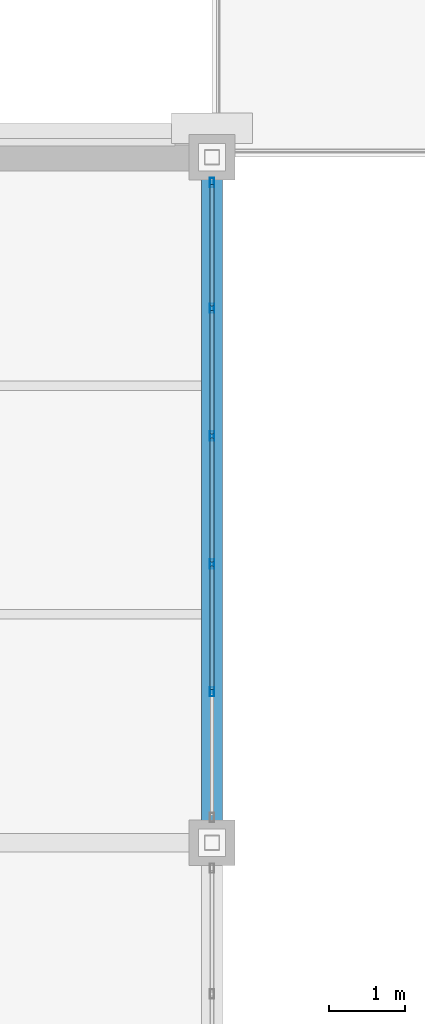
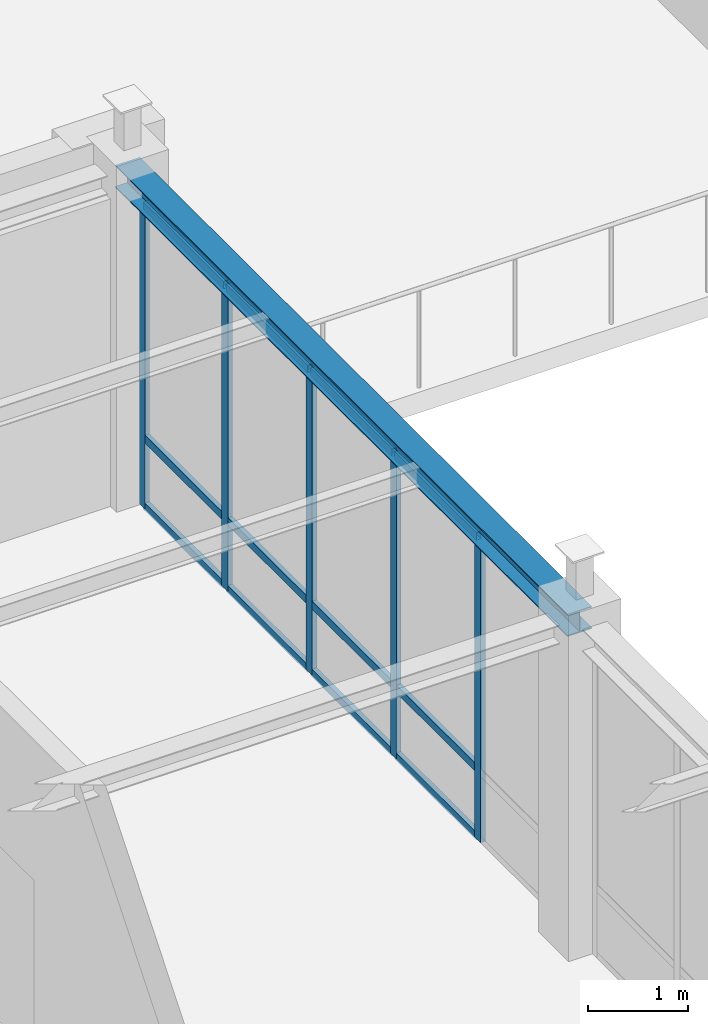
# One storey, part 58 of 97: 17 members, 1 beam, 1 element without a shape of its own.
"""IFC4 building model written with IfcOpenShell, lengths in metres."""

from ifc_helpers import new_model, si_unit, direction, frame, origin, origin_2d, place, context, subcontext, project, spatial, hollow_rectangle, i_section, extrude, material, material_profile, profile_set, type_object, element, aggregate, save


model = new_model("IFC4")

# Units and contexts
model_context = context("Model", 3, precision=1e-05, world=origin(), true_north=direction((0.0, 1.0)))
body_context = subcontext(model_context, "Body", "Model", "MODEL_VIEW")
ifc_project = project(units=[si_unit("LENGTHUNIT", "METRE"), si_unit("AREAUNIT", "SQUARE_METRE"), si_unit("VOLUMEUNIT", "CUBIC_METRE"), si_unit("PLANEANGLEUNIT", "RADIAN"), si_unit("MASSUNIT", "GRAM", prefix="KILO")], contexts=[model_context])

# Site, building, storey
site_placement = place(None, origin())
site = spatial("IfcSite", under=ifc_project, at=site_placement, CompositionType="ELEMENT")
building_placement = place(site_placement, origin())
building = spatial("IfcBuilding", under=site, at=building_placement, Name="Lykobir Media Centre", CompositionType="ELEMENT")
storey_placement = place(building_placement, frame((0.0, 0.0, 23.39990234375)))
storey = spatial("IfcBuildingStorey", under=building, at=storey_placement, Name="L05", CompositionType="ELEMENT", Elevation=23.39990234375)

# Beam
ifc_material_1 = material(Name="Steel S355", Category="steel")
ifc_material_profile_1 = material_profile(ifc_material_1, i_section(OverallWidth=0.280029296875, OverallDepth=0.27001953125, WebThickness=0.008056640625, FlangeThickness=0.012939453125, at=origin_2d()), Name="HEA 280")
ifc_profile_set_1 = profile_set([ifc_material_profile_1], Name="Steel S355")
beam_type = type_object("IfcBeamType", Name="BM-HEA280", PredefinedType="BEAM", material=ifc_profile_set_1)
beam_placement = place(storey_placement, frame((99.0, 63.0, 3.84521484375), z_axis=(0.0, 1.0, 0.0), x_axis=(-1.0, 0.0, 0.0)))
element("IfcBeam", 1, at=beam_placement, inside=storey, type_object=beam_type, Name="Beam BM-L05-0990-0630-0990-0720-2724", PredefinedType="BEAM", context=body_context, shape_type="SweptSolid", body=[
    extrude(i_section(OverallWidth=0.280029296875, OverallDepth=0.27001953125, WebThickness=0.008056640625, FlangeThickness=0.012939453125, at=origin_2d()), origin(), (0.0, 0.0, 1.0), 9.0),
])

# Curtain wall, members
ifc_material_2 = material(Name="Anodized Aluminium AW-6060", Category="aluminium")
curtain_wall_type = type_object("IfcCurtainWallType", Name="CW-COURT-B", PredefinedType="NOTDEFINED", material=ifc_material_2)
curtain_wall_placement = place(storey_placement, origin())
curtain_wall = element("IfcCurtainWall", 2, at=curtain_wall_placement, inside=storey, type_object=curtain_wall_type, Name="Curtain wall CW2-L05-0186", PredefinedType="NOTDEFINED")
ifc_material_profile_2 = material_profile(ifc_material_2, hollow_rectangle(XDim=0.054931640625, YDim=0.1201171875, WallThickness=0.003173828125, at=origin_2d()), Name="ALU MULLION 55x120")
ifc_profile_set_2 = profile_set([ifc_material_profile_2], Name="Anodized Aluminium AW-6060")
member_type_1 = type_object("IfcMemberType", Name="CWM-120", PredefinedType="MULLION", material=ifc_profile_set_2)
member_1_placement = place(storey_placement, frame((99.0, 71.66748046875, 0.0), z_axis=(0.0, 0.0, 1.0), x_axis=(1.0, 0.0, 0.0)))
member_1 = element("IfcMember", 3, at=member_1_placement, type_object=member_type_1, Name="CW2-L05-0186 mullion 1", PredefinedType="MULLION", context=body_context, shape_type="SweptSolid", body=[
    extrude(hollow_rectangle(XDim=0.054931640625, YDim=0.1201171875, WallThickness=0.003173828125, at=origin_2d()), origin(), (0.0, 0.0, 1.0), 3.695068359375),
])
member_2_placement = place(storey_placement, frame((99.0, 70.01708984375, 0.0), z_axis=(0.0, 0.0, 1.0), x_axis=(1.0, 0.0, 0.0)))
member_2 = element("IfcMember", 4, at=member_2_placement, type_object=member_type_1, Name="CW2-L05-0186 mullion 2", PredefinedType="MULLION", context=body_context, shape_type="SweptSolid", body=[
    extrude(hollow_rectangle(XDim=0.054931640625, YDim=0.1201171875, WallThickness=0.003173828125, at=origin_2d()), origin(), (0.0, 0.0, 1.0), 3.695068359375),
])
member_3_placement = place(storey_placement, frame((99.0, 68.339111328125, 0.0), z_axis=(0.0, 0.0, 1.0), x_axis=(1.0, 0.0, 0.0)))
member_3 = element("IfcMember", 5, at=member_3_placement, type_object=member_type_1, Name="CW2-L05-0186 mullion 3", PredefinedType="MULLION", context=body_context, shape_type="SweptSolid", body=[
    extrude(hollow_rectangle(XDim=0.054931640625, YDim=0.1201171875, WallThickness=0.003173828125, at=origin_2d()), origin(), (0.0, 0.0, 1.0), 3.695068359375),
])
member_4_placement = place(storey_placement, frame((99.0, 66.660888671875, 0.0), z_axis=(0.0, 0.0, 1.0), x_axis=(1.0, 0.0, 0.0)))
member_4 = element("IfcMember", 6, at=member_4_placement, type_object=member_type_1, Name="CW2-L05-0186 mullion 4", PredefinedType="MULLION", context=body_context, shape_type="SweptSolid", body=[
    extrude(hollow_rectangle(XDim=0.054931640625, YDim=0.1201171875, WallThickness=0.003173828125, at=origin_2d()), origin(), (0.0, 0.0, 1.0), 3.695068359375),
])
member_5_placement = place(storey_placement, frame((99.0, 64.98291015625, 0.0), z_axis=(0.0, 0.0, 1.0), x_axis=(1.0, 0.0, 0.0)))
member_5 = element("IfcMember", 7, at=member_5_placement, type_object=member_type_1, Name="CW2-L05-0186 mullion 5", PredefinedType="MULLION", context=body_context, shape_type="SweptSolid", body=[
    extrude(hollow_rectangle(XDim=0.054931640625, YDim=0.1201171875, WallThickness=0.003173828125, at=origin_2d()), origin(), (0.0, 0.0, 1.0), 3.695068359375),
])
ifc_material_profile_3 = material_profile(ifc_material_2, hollow_rectangle(XDim=0.054931640625, YDim=0.094970703125, WallThickness=0.0029296875, at=origin_2d()), Name="ALU TRANSOM 55x95")
ifc_profile_set_3 = profile_set([ifc_material_profile_3], Name="Anodized Aluminium AW-6060")
member_type_2 = type_object("IfcMemberType", Name="CWT-095", PredefinedType="USERDEFINED", material=ifc_profile_set_3)
member_6_placement = place(storey_placement, frame((99.0, 71.639892578125, 0.027587890625), z_axis=(0.0, -1.0, 0.0), x_axis=(1.0, 0.0, 0.0)))
member_6 = element("IfcMember", 8, at=member_6_placement, type_object=member_type_2, Name="CW2-L05-0186 transom 1.1", ObjectType="TRANSOM", PredefinedType="USERDEFINED", context=body_context, shape_type="SweptSolid", body=[
    extrude(hollow_rectangle(XDim=0.054931640625, YDim=0.094970703125, WallThickness=0.0029296875, at=origin_2d()), origin(), (0.0, 0.0, 1.0), 1.595458984375),
])
member_7_placement = place(storey_placement, frame((99.0, 71.639892578125, 0.85009765625), z_axis=(0.0, -1.0, 0.0), x_axis=(1.0, 0.0, 0.0)))
member_7 = element("IfcMember", 9, at=member_7_placement, type_object=member_type_2, Name="CW2-L05-0186 transom 1.2", ObjectType="TRANSOM", PredefinedType="USERDEFINED", context=body_context, shape_type="SweptSolid", body=[
    extrude(hollow_rectangle(XDim=0.054931640625, YDim=0.094970703125, WallThickness=0.0029296875, at=origin_2d()), origin(), (0.0, 0.0, 1.0), 1.595458984375),
])
member_8_placement = place(storey_placement, frame((99.0, 71.639892578125, 3.66748046875), z_axis=(0.0, -1.0, 0.0), x_axis=(1.0, 0.0, 0.0)))
member_8 = element("IfcMember", 10, at=member_8_placement, type_object=member_type_2, Name="CW2-L05-0186 transom 1.3", ObjectType="TRANSOM", PredefinedType="USERDEFINED", context=body_context, shape_type="SweptSolid", body=[
    extrude(hollow_rectangle(XDim=0.054931640625, YDim=0.094970703125, WallThickness=0.0029296875, at=origin_2d()), origin(), (0.0, 0.0, 1.0), 1.595458984375),
])
member_9_placement = place(storey_placement, frame((99.0, 69.989501953125, 0.027587890625), z_axis=(0.0, -1.0, 0.0), x_axis=(1.0, 0.0, 0.0)))
member_9 = element("IfcMember", 11, at=member_9_placement, type_object=member_type_2, Name="CW2-L05-0186 transom 2.1", ObjectType="TRANSOM", PredefinedType="USERDEFINED", context=body_context, shape_type="SweptSolid", body=[
    extrude(hollow_rectangle(XDim=0.054931640625, YDim=0.094970703125, WallThickness=0.0029296875, at=origin_2d()), origin(), (0.0, 0.0, 1.0), 1.623046875),
])
member_10_placement = place(storey_placement, frame((99.0, 69.989501953125, 0.85009765625), z_axis=(0.0, -1.0, 0.0), x_axis=(1.0, 0.0, 0.0)))
member_10 = element("IfcMember", 12, at=member_10_placement, type_object=member_type_2, Name="CW2-L05-0186 transom 2.2", ObjectType="TRANSOM", PredefinedType="USERDEFINED", context=body_context, shape_type="SweptSolid", body=[
    extrude(hollow_rectangle(XDim=0.054931640625, YDim=0.094970703125, WallThickness=0.0029296875, at=origin_2d()), origin(), (0.0, 0.0, 1.0), 1.623046875),
])
member_11_placement = place(storey_placement, frame((99.0, 69.989501953125, 3.66748046875), z_axis=(0.0, -1.0, 0.0), x_axis=(1.0, 0.0, 0.0)))
member_11 = element("IfcMember", 13, at=member_11_placement, type_object=member_type_2, Name="CW2-L05-0186 transom 2.3", ObjectType="TRANSOM", PredefinedType="USERDEFINED", context=body_context, shape_type="SweptSolid", body=[
    extrude(hollow_rectangle(XDim=0.054931640625, YDim=0.094970703125, WallThickness=0.0029296875, at=origin_2d()), origin(), (0.0, 0.0, 1.0), 1.623046875),
])
member_12_placement = place(storey_placement, frame((99.0, 68.3115234375, 0.027587890625), z_axis=(0.0, -1.0, 0.0), x_axis=(1.0, 0.0, 0.0)))
member_12 = element("IfcMember", 14, at=member_12_placement, type_object=member_type_2, Name="CW2-L05-0186 transom 3.1", ObjectType="TRANSOM", PredefinedType="USERDEFINED", context=body_context, shape_type="SweptSolid", body=[
    extrude(hollow_rectangle(XDim=0.054931640625, YDim=0.094970703125, WallThickness=0.0029296875, at=origin_2d()), origin(), (0.0, 0.0, 1.0), 1.623046875),
])
member_13_placement = place(storey_placement, frame((99.0, 68.3115234375, 0.85009765625), z_axis=(0.0, -1.0, 0.0), x_axis=(1.0, 0.0, 0.0)))
member_13 = element("IfcMember", 15, at=member_13_placement, type_object=member_type_2, Name="CW2-L05-0186 transom 3.2", ObjectType="TRANSOM", PredefinedType="USERDEFINED", context=body_context, shape_type="SweptSolid", body=[
    extrude(hollow_rectangle(XDim=0.054931640625, YDim=0.094970703125, WallThickness=0.0029296875, at=origin_2d()), origin(), (0.0, 0.0, 1.0), 1.623046875),
])
member_14_placement = place(storey_placement, frame((99.0, 68.3115234375, 3.66748046875), z_axis=(0.0, -1.0, 0.0), x_axis=(1.0, 0.0, 0.0)))
member_14 = element("IfcMember", 16, at=member_14_placement, type_object=member_type_2, Name="CW2-L05-0186 transom 3.3", ObjectType="TRANSOM", PredefinedType="USERDEFINED", context=body_context, shape_type="SweptSolid", body=[
    extrude(hollow_rectangle(XDim=0.054931640625, YDim=0.094970703125, WallThickness=0.0029296875, at=origin_2d()), origin(), (0.0, 0.0, 1.0), 1.623046875),
])
member_15_placement = place(storey_placement, frame((99.0, 66.633544921875, 0.027587890625), z_axis=(0.0, -1.0, 0.0), x_axis=(1.0, 0.0, 0.0)))
member_15 = element("IfcMember", 17, at=member_15_placement, type_object=member_type_2, Name="CW2-L05-0186 transom 4.1", ObjectType="TRANSOM", PredefinedType="USERDEFINED", context=body_context, shape_type="SweptSolid", body=[
    extrude(hollow_rectangle(XDim=0.054931640625, YDim=0.094970703125, WallThickness=0.0029296875, at=origin_2d()), origin(), (0.0, 0.0, 1.0), 1.623046875),
])
member_16_placement = place(storey_placement, frame((99.0, 66.633544921875, 0.85009765625), z_axis=(0.0, -1.0, 0.0), x_axis=(1.0, 0.0, 0.0)))
member_16 = element("IfcMember", 18, at=member_16_placement, type_object=member_type_2, Name="CW2-L05-0186 transom 4.2", ObjectType="TRANSOM", PredefinedType="USERDEFINED", context=body_context, shape_type="SweptSolid", body=[
    extrude(hollow_rectangle(XDim=0.054931640625, YDim=0.094970703125, WallThickness=0.0029296875, at=origin_2d()), origin(), (0.0, 0.0, 1.0), 1.623046875),
])
member_17_placement = place(storey_placement, frame((99.0, 66.633544921875, 3.66748046875), z_axis=(0.0, -1.0, 0.0), x_axis=(1.0, 0.0, 0.0)))
member_17 = element("IfcMember", 19, at=member_17_placement, type_object=member_type_2, Name="CW2-L05-0186 transom 4.3", ObjectType="TRANSOM", PredefinedType="USERDEFINED", context=body_context, shape_type="SweptSolid", body=[
    extrude(hollow_rectangle(XDim=0.054931640625, YDim=0.094970703125, WallThickness=0.0029296875, at=origin_2d()), origin(), (0.0, 0.0, 1.0), 1.623046875),
])
aggregate(curtain_wall, [member_1, member_2, member_3, member_4, member_5, member_6, member_7, member_8, member_9, member_10, member_11, member_12, member_13, member_14, member_15, member_16, member_17])

save(model, "model.ifc")
